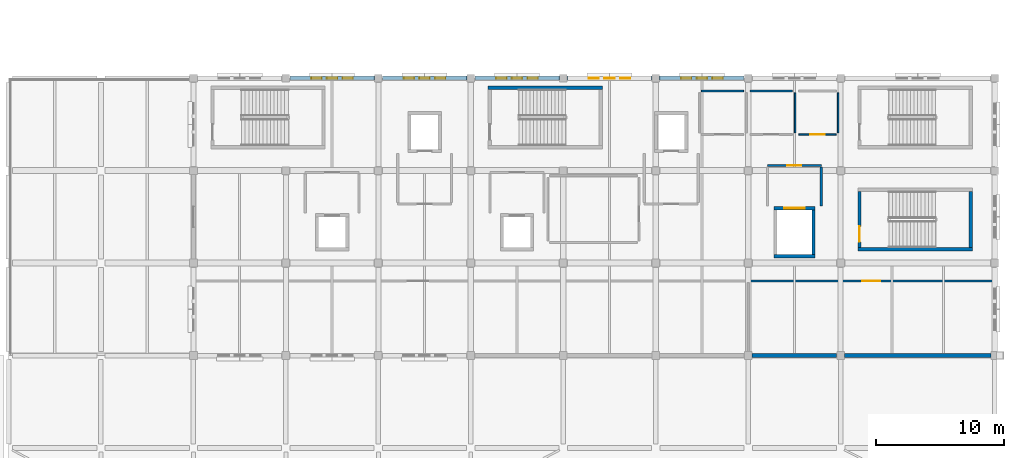
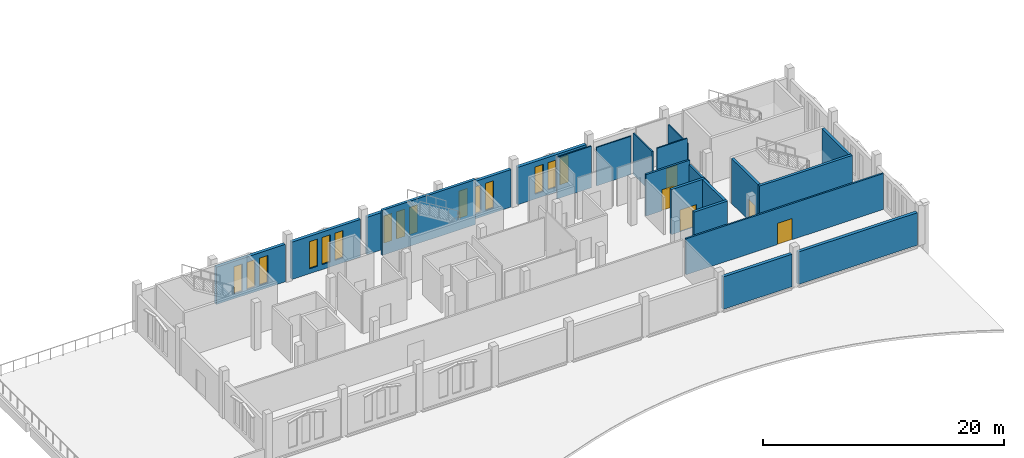
# One storey, part 11 of 23: 22 walls, 15 windows, 5 doors, 20 openings.
"""IFC4 building model written with IfcOpenShell, lengths in metres."""

from ifc_helpers import new_model, si_unit, direction, frame, frame_2d, origin, place, context, subcontext, project, spatial, rectangle, extrude, material, layer, layer_set, type_object, element, fill, save


model = new_model("IFC4")

# Units and contexts
model_context = context("Model", 3, precision=1e-05, world=origin(), true_north=direction((0.0, 1.0)))
body_context = subcontext(model_context, "Body", "Model", "MODEL_VIEW")
ifc_project = project(units=[si_unit("LENGTHUNIT", "METRE"), si_unit("AREAUNIT", "SQUARE_METRE"), si_unit("VOLUMEUNIT", "CUBIC_METRE"), si_unit("PLANEANGLEUNIT", "RADIAN"), si_unit("MASSUNIT", "GRAM", prefix="KILO")], contexts=[model_context])

# Site, building, storey
site_placement = place(None, origin())
site = spatial("IfcSite", under=ifc_project, at=site_placement, CompositionType="ELEMENT")
building_placement = place(site_placement, origin())
building = spatial("IfcBuilding", under=site, at=building_placement, Name="Cendralis Lancet Convention Centre", CompositionType="ELEMENT")
storey_placement = place(building_placement, frame((0.0, 0.0, 19.800048828125)))
storey = spatial("IfcBuildingStorey", under=building, at=storey_placement, Name="L04", CompositionType="ELEMENT", Elevation=19.800048828125)

# Wall, openings, windows
ifc_material_1 = material(Name="Buff sandstone ashlar and Concrete G40 (C40/50)", Category="masonry")
ifc_layer_1 = layer(ifc_material_1, 0.300048828125, Name="Buff sandstone ashlar and Concrete G40 (C40/50)")
ifc_layer_set_1 = layer_set([ifc_layer_1], Name="Buff sandstone ashlar and Concrete G40 (C40/50)")
wall_type_1 = type_object("IfcWallType", Name="ARC-EW-W300", PredefinedType="STANDARD", material=ifc_layer_set_1)
wall_1_placement = place(storey_placement, frame((153.907958984375, 36.0, 0.0), z_axis=(0.0, 0.0, 1.0), x_axis=(1.0, 0.0, 0.0)))
wall_1 = element("IfcWall", 1, at=wall_1_placement, inside=storey, type_object=wall_type_1, Name="L04 V5 Exterior Wall EW-07 #0323", PredefinedType="STANDARD", context=body_context, shape_type="SweptSolid", body=[
    extrude(rectangle(XDim=6.583984375, YDim=0.300048828125, at=frame_2d((3.2919921875, 0.0))), origin(), (0.0, 0.0, 1.0), 3.784912109375),
])
opening_1_placement = place(wall_1_placement, frame((1.672119140625, 0.0, 0.5)))
opening_1 = element("IfcOpeningElement", 2, at=opening_1_placement, cuts=wall_1, Name="Opening WN-07", PredefinedType="OPENING", context=body_context, shape_type="SweptSolid", body=[
    extrude(rectangle(XDim=0.800048828125, YDim=2.75, at=frame_2d((0.39990234375, 1.375))), frame((0.0, 0.159912109375, 0.0), z_axis=(0.0, -1.0, 0.0), x_axis=(1.0, 0.0, 0.0)), (0.0, 0.0, 1.0), 0.320068359375),
])
opening_2_placement = place(wall_1_placement, frame((2.89208984375, 0.0, 0.5)))
opening_2 = element("IfcOpeningElement", 3, at=opening_2_placement, cuts=wall_1, Name="Opening WN-07", PredefinedType="OPENING", context=body_context, shape_type="SweptSolid", body=[
    extrude(rectangle(XDim=0.800048828125, YDim=2.75, at=frame_2d((0.39990234375, 1.375))), frame((0.0, 0.159912109375, 0.0), z_axis=(0.0, -1.0, 0.0), x_axis=(1.0, 0.0, 0.0)), (0.0, 0.0, 1.0), 0.320068359375),
])
opening_3_placement = place(wall_1_placement, frame((4.112060546875, 0.0, 0.5)))
opening_3 = element("IfcOpeningElement", 4, at=opening_3_placement, cuts=wall_1, Name="Opening WN-07", PredefinedType="OPENING", context=body_context, shape_type="SweptSolid", body=[
    extrude(rectangle(XDim=0.800048828125, YDim=2.75, at=frame_2d((0.39990234375, 1.375))), frame((0.0, 0.159912109375, 0.0), z_axis=(0.0, -1.0, 0.0), x_axis=(1.0, 0.0, 0.0)), (0.0, 0.0, 1.0), 0.320068359375),
])
ifc_material_2 = material(Name="Double-glazed low-E solar-control glass", Category="glass")
window_type = type_object("IfcWindowType", Name="ARC-WN-LW07", PartitioningType="SINGLE_PANEL", PredefinedType="WINDOW", material=ifc_material_2)
window_1_placement = place(opening_1_placement, origin())
window_1 = element("IfcWindow", 5, at=window_1_placement, inside=storey, type_object=window_type, Name="Gothic Lancet Window WN-07 #0640", OverallHeight=2.75, OverallWidth=0.800048828125, PartitioningType="SINGLE_PANEL", PredefinedType="WINDOW", context=body_context, shape_type="SweptSolid", body=[
    extrude(rectangle(XDim=0.800048828125, YDim=2.75, at=frame_2d((0.39990234375, 1.375))), frame((0.0, 0.030029296875, 0.0), z_axis=(0.0, -1.0, 0.0), x_axis=(1.0, 0.0, 0.0)), (0.0, 0.0, 1.0), 0.06005859375),
])
fill(opening_1, window_1)
window_2_placement = place(opening_2_placement, origin())
window_2 = element("IfcWindow", 6, at=window_2_placement, inside=storey, type_object=window_type, Name="Gothic Lancet Window WN-07 #0641", OverallHeight=2.75, OverallWidth=0.800048828125, PartitioningType="SINGLE_PANEL", PredefinedType="WINDOW", context=body_context, shape_type="SweptSolid", body=[
    extrude(rectangle(XDim=0.800048828125, YDim=2.75, at=frame_2d((0.39990234375, 1.375))), frame((0.0, 0.030029296875, 0.0), z_axis=(0.0, -1.0, 0.0), x_axis=(1.0, 0.0, 0.0)), (0.0, 0.0, 1.0), 0.06005859375),
])
fill(opening_2, window_2)
window_3_placement = place(opening_3_placement, origin())
window_3 = element("IfcWindow", 7, at=window_3_placement, inside=storey, type_object=window_type, Name="Gothic Lancet Window WN-07 #0642", OverallHeight=2.75, OverallWidth=0.800048828125, PartitioningType="SINGLE_PANEL", PredefinedType="WINDOW", context=body_context, shape_type="SweptSolid", body=[
    extrude(rectangle(XDim=0.800048828125, YDim=2.75, at=frame_2d((0.39990234375, 1.375))), frame((0.0, 0.030029296875, 0.0), z_axis=(0.0, -1.0, 0.0), x_axis=(1.0, 0.0, 0.0)), (0.0, 0.0, 1.0), 0.06005859375),
])
fill(opening_3, window_3)

wall_2_placement = place(storey_placement, frame((161.10791015625, 36.0, 0.0), z_axis=(0.0, 0.0, 1.0), x_axis=(1.0, 0.0, 0.0)))
wall_2 = element("IfcWall", 8, at=wall_2_placement, inside=storey, type_object=wall_type_1, Name="L04 V5 Exterior Wall EW-07 #0327", PredefinedType="STANDARD", context=body_context, shape_type="SweptSolid", body=[
    extrude(rectangle(XDim=6.583984375, YDim=0.300048828125, at=frame_2d((3.2919921875, 0.0))), origin(), (0.0, 0.0, 1.0), 3.784912109375),
])
opening_4_placement = place(wall_2_placement, frame((1.672119140625, 0.0, 0.5)))
opening_4 = element("IfcOpeningElement", 9, at=opening_4_placement, cuts=wall_2, Name="Opening WN-07", PredefinedType="OPENING", context=body_context, shape_type="SweptSolid", body=[
    extrude(rectangle(XDim=0.800048828125, YDim=2.75, at=frame_2d((0.39990234375, 1.375))), frame((0.0, 0.159912109375, 0.0), z_axis=(0.0, -1.0, 0.0), x_axis=(1.0, 0.0, 0.0)), (0.0, 0.0, 1.0), 0.320068359375),
])
opening_5_placement = place(wall_2_placement, frame((2.89208984375, 0.0, 0.5)))
opening_5 = element("IfcOpeningElement", 10, at=opening_5_placement, cuts=wall_2, Name="Opening WN-07", PredefinedType="OPENING", context=body_context, shape_type="SweptSolid", body=[
    extrude(rectangle(XDim=0.800048828125, YDim=2.75, at=frame_2d((0.39990234375, 1.375))), frame((0.0, 0.159912109375, 0.0), z_axis=(0.0, -1.0, 0.0), x_axis=(1.0, 0.0, 0.0)), (0.0, 0.0, 1.0), 0.320068359375),
])
opening_6_placement = place(wall_2_placement, frame((4.112060546875, 0.0, 0.5)))
opening_6 = element("IfcOpeningElement", 11, at=opening_6_placement, cuts=wall_2, Name="Opening WN-07", PredefinedType="OPENING", context=body_context, shape_type="SweptSolid", body=[
    extrude(rectangle(XDim=0.800048828125, YDim=2.75, at=frame_2d((0.39990234375, 1.375))), frame((0.0, 0.159912109375, 0.0), z_axis=(0.0, -1.0, 0.0), x_axis=(1.0, 0.0, 0.0)), (0.0, 0.0, 1.0), 0.320068359375),
])
window_4_placement = place(opening_4_placement, origin())
window_4 = element("IfcWindow", 12, at=window_4_placement, inside=storey, type_object=window_type, Name="Gothic Lancet Window WN-07 #0646", OverallHeight=2.75, OverallWidth=0.800048828125, PartitioningType="SINGLE_PANEL", PredefinedType="WINDOW", context=body_context, shape_type="SweptSolid", body=[
    extrude(rectangle(XDim=0.800048828125, YDim=2.75, at=frame_2d((0.39990234375, 1.375))), frame((0.0, 0.030029296875, 0.0), z_axis=(0.0, -1.0, 0.0), x_axis=(1.0, 0.0, 0.0)), (0.0, 0.0, 1.0), 0.06005859375),
])
fill(opening_4, window_4)
window_5_placement = place(opening_5_placement, origin())
window_5 = element("IfcWindow", 13, at=window_5_placement, inside=storey, type_object=window_type, Name="Gothic Lancet Window WN-07 #0647", OverallHeight=2.75, OverallWidth=0.800048828125, PartitioningType="SINGLE_PANEL", PredefinedType="WINDOW", context=body_context, shape_type="SweptSolid", body=[
    extrude(rectangle(XDim=0.800048828125, YDim=2.75, at=frame_2d((0.39990234375, 1.375))), frame((0.0, 0.030029296875, 0.0), z_axis=(0.0, -1.0, 0.0), x_axis=(1.0, 0.0, 0.0)), (0.0, 0.0, 1.0), 0.06005859375),
])
fill(opening_5, window_5)
window_6_placement = place(opening_6_placement, origin())
window_6 = element("IfcWindow", 14, at=window_6_placement, inside=storey, type_object=window_type, Name="Gothic Lancet Window WN-07 #0648", OverallHeight=2.75, OverallWidth=0.800048828125, PartitioningType="SINGLE_PANEL", PredefinedType="WINDOW", context=body_context, shape_type="SweptSolid", body=[
    extrude(rectangle(XDim=0.800048828125, YDim=2.75, at=frame_2d((0.39990234375, 1.375))), frame((0.0, 0.030029296875, 0.0), z_axis=(0.0, -1.0, 0.0), x_axis=(1.0, 0.0, 0.0)), (0.0, 0.0, 1.0), 0.06005859375),
])
fill(opening_6, window_6)

wall_3_placement = place(storey_placement, frame((168.30810546875, 36.0, 0.0), z_axis=(0.0, 0.0, 1.0), x_axis=(1.0, 0.0, 0.0)))
wall_3 = element("IfcWall", 15, at=wall_3_placement, inside=storey, type_object=wall_type_1, Name="L04 V5 Exterior Wall EW-07 #0331", PredefinedType="STANDARD", context=body_context, shape_type="SweptSolid", body=[
    extrude(rectangle(XDim=6.583984375, YDim=0.300048828125, at=frame_2d((3.2919921875, 0.0))), origin(), (0.0, 0.0, 1.0), 3.784912109375),
])
opening_7_placement = place(wall_3_placement, frame((1.672119140625, 0.0, 0.5)))
opening_7 = element("IfcOpeningElement", 16, at=opening_7_placement, cuts=wall_3, Name="Opening WN-07", PredefinedType="OPENING", context=body_context, shape_type="SweptSolid", body=[
    extrude(rectangle(XDim=0.800048828125, YDim=2.75, at=frame_2d((0.39990234375, 1.375))), frame((0.0, 0.159912109375, 0.0), z_axis=(0.0, -1.0, 0.0), x_axis=(1.0, 0.0, 0.0)), (0.0, 0.0, 1.0), 0.320068359375),
])
opening_8_placement = place(wall_3_placement, frame((2.89208984375, 0.0, 0.5)))
opening_8 = element("IfcOpeningElement", 17, at=opening_8_placement, cuts=wall_3, Name="Opening WN-07", PredefinedType="OPENING", context=body_context, shape_type="SweptSolid", body=[
    extrude(rectangle(XDim=0.800048828125, YDim=2.75, at=frame_2d((0.39990234375, 1.375))), frame((0.0, 0.159912109375, 0.0), z_axis=(0.0, -1.0, 0.0), x_axis=(1.0, 0.0, 0.0)), (0.0, 0.0, 1.0), 0.320068359375),
])
opening_9_placement = place(wall_3_placement, frame((4.112060546875, 0.0, 0.5)))
opening_9 = element("IfcOpeningElement", 18, at=opening_9_placement, cuts=wall_3, Name="Opening WN-07", PredefinedType="OPENING", context=body_context, shape_type="SweptSolid", body=[
    extrude(rectangle(XDim=0.800048828125, YDim=2.75, at=frame_2d((0.39990234375, 1.375))), frame((0.0, 0.159912109375, 0.0), z_axis=(0.0, -1.0, 0.0), x_axis=(1.0, 0.0, 0.0)), (0.0, 0.0, 1.0), 0.320068359375),
])
window_7_placement = place(opening_7_placement, origin())
window_7 = element("IfcWindow", 19, at=window_7_placement, inside=storey, type_object=window_type, Name="Gothic Lancet Window WN-07 #0652", OverallHeight=2.75, OverallWidth=0.800048828125, PartitioningType="SINGLE_PANEL", PredefinedType="WINDOW", context=body_context, shape_type="SweptSolid", body=[
    extrude(rectangle(XDim=0.800048828125, YDim=2.75, at=frame_2d((0.39990234375, 1.375))), frame((0.0, 0.030029296875, 0.0), z_axis=(0.0, -1.0, 0.0), x_axis=(1.0, 0.0, 0.0)), (0.0, 0.0, 1.0), 0.06005859375),
])
fill(opening_7, window_7)
window_8_placement = place(opening_8_placement, origin())
window_8 = element("IfcWindow", 20, at=window_8_placement, inside=storey, type_object=window_type, Name="Gothic Lancet Window WN-07 #0653", OverallHeight=2.75, OverallWidth=0.800048828125, PartitioningType="SINGLE_PANEL", PredefinedType="WINDOW", context=body_context, shape_type="SweptSolid", body=[
    extrude(rectangle(XDim=0.800048828125, YDim=2.75, at=frame_2d((0.39990234375, 1.375))), frame((0.0, 0.030029296875, 0.0), z_axis=(0.0, -1.0, 0.0), x_axis=(1.0, 0.0, 0.0)), (0.0, 0.0, 1.0), 0.06005859375),
])
fill(opening_8, window_8)
window_9_placement = place(opening_9_placement, origin())
window_9 = element("IfcWindow", 21, at=window_9_placement, inside=storey, type_object=window_type, Name="Gothic Lancet Window WN-07 #0654", OverallHeight=2.75, OverallWidth=0.800048828125, PartitioningType="SINGLE_PANEL", PredefinedType="WINDOW", context=body_context, shape_type="SweptSolid", body=[
    extrude(rectangle(XDim=0.800048828125, YDim=2.75, at=frame_2d((0.39990234375, 1.375))), frame((0.0, 0.030029296875, 0.0), z_axis=(0.0, -1.0, 0.0), x_axis=(1.0, 0.0, 0.0)), (0.0, 0.0, 1.0), 0.06005859375),
])
fill(opening_9, window_9)

wall_4_placement = place(storey_placement, frame((175.508056640625, 36.0, 0.0), z_axis=(0.0, 0.0, 1.0), x_axis=(1.0, 0.0, 0.0)))
wall_4 = element("IfcWall", 22, at=wall_4_placement, inside=storey, type_object=wall_type_1, Name="L04 V5 Exterior Wall EW-07 #0335", PredefinedType="STANDARD", context=body_context, shape_type="SweptSolid", body=[
    extrude(rectangle(XDim=6.583984375, YDim=0.300048828125, at=frame_2d((3.2919921875, 0.0))), origin(), (0.0, 0.0, 1.0), 3.784912109375),
])
opening_10_placement = place(wall_4_placement, frame((1.672119140625, 0.0, 0.5)))
opening_10 = element("IfcOpeningElement", 23, at=opening_10_placement, cuts=wall_4, Name="Opening WN-07", PredefinedType="OPENING", context=body_context, shape_type="SweptSolid", body=[
    extrude(rectangle(XDim=0.800048828125, YDim=2.75, at=frame_2d((0.39990234375, 1.375))), frame((0.0, 0.159912109375, 0.0), z_axis=(0.0, -1.0, 0.0), x_axis=(1.0, 0.0, 0.0)), (0.0, 0.0, 1.0), 0.320068359375),
])
opening_11_placement = place(wall_4_placement, frame((2.89208984375, 0.0, 0.5)))
opening_11 = element("IfcOpeningElement", 24, at=opening_11_placement, cuts=wall_4, Name="Opening WN-07", PredefinedType="OPENING", context=body_context, shape_type="SweptSolid", body=[
    extrude(rectangle(XDim=0.800048828125, YDim=2.75, at=frame_2d((0.39990234375, 1.375))), frame((0.0, 0.159912109375, 0.0), z_axis=(0.0, -1.0, 0.0), x_axis=(1.0, 0.0, 0.0)), (0.0, 0.0, 1.0), 0.320068359375),
])
opening_12_placement = place(wall_4_placement, frame((4.112060546875, 0.0, 0.5)))
opening_12 = element("IfcOpeningElement", 25, at=opening_12_placement, cuts=wall_4, Name="Opening WN-07", PredefinedType="OPENING", context=body_context, shape_type="SweptSolid", body=[
    extrude(rectangle(XDim=0.800048828125, YDim=2.75, at=frame_2d((0.39990234375, 1.375))), frame((0.0, 0.159912109375, 0.0), z_axis=(0.0, -1.0, 0.0), x_axis=(1.0, 0.0, 0.0)), (0.0, 0.0, 1.0), 0.320068359375),
])
window_10_placement = place(opening_10_placement, origin())
window_10 = element("IfcWindow", 26, at=window_10_placement, inside=storey, type_object=window_type, Name="Gothic Lancet Window WN-07 #0655", OverallHeight=2.75, OverallWidth=0.800048828125, PartitioningType="SINGLE_PANEL", PredefinedType="WINDOW", context=body_context, shape_type="SweptSolid", body=[
    extrude(rectangle(XDim=0.800048828125, YDim=2.75, at=frame_2d((0.39990234375, 1.375))), frame((0.0, 0.030029296875, 0.0), z_axis=(0.0, -1.0, 0.0), x_axis=(1.0, 0.0, 0.0)), (0.0, 0.0, 1.0), 0.06005859375),
])
fill(opening_10, window_10)
window_11_placement = place(opening_11_placement, origin())
window_11 = element("IfcWindow", 27, at=window_11_placement, inside=storey, type_object=window_type, Name="Gothic Lancet Window WN-07 #0656", OverallHeight=2.75, OverallWidth=0.800048828125, PartitioningType="SINGLE_PANEL", PredefinedType="WINDOW", context=body_context, shape_type="SweptSolid", body=[
    extrude(rectangle(XDim=0.800048828125, YDim=2.75, at=frame_2d((0.39990234375, 1.375))), frame((0.0, 0.030029296875, 0.0), z_axis=(0.0, -1.0, 0.0), x_axis=(1.0, 0.0, 0.0)), (0.0, 0.0, 1.0), 0.06005859375),
])
fill(opening_11, window_11)
window_12_placement = place(opening_12_placement, origin())
window_12 = element("IfcWindow", 28, at=window_12_placement, inside=storey, type_object=window_type, Name="Gothic Lancet Window WN-07 #0657", OverallHeight=2.75, OverallWidth=0.800048828125, PartitioningType="SINGLE_PANEL", PredefinedType="WINDOW", context=body_context, shape_type="SweptSolid", body=[
    extrude(rectangle(XDim=0.800048828125, YDim=2.75, at=frame_2d((0.39990234375, 1.375))), frame((0.0, 0.030029296875, 0.0), z_axis=(0.0, -1.0, 0.0), x_axis=(1.0, 0.0, 0.0)), (0.0, 0.0, 1.0), 0.06005859375),
])
fill(opening_12, window_12)

wall_5_placement = place(storey_placement, frame((182.7080078125, 36.0, 0.0), z_axis=(0.0, 0.0, 1.0), x_axis=(1.0, 0.0, 0.0)))
wall_5 = element("IfcWall", 29, at=wall_5_placement, inside=storey, type_object=wall_type_1, Name="L04 V5 Exterior Wall EW-07 #0339", PredefinedType="STANDARD", context=body_context, shape_type="SweptSolid", body=[
    extrude(rectangle(XDim=6.583984375, YDim=0.300048828125, at=frame_2d((3.2919921875, 0.0))), origin(), (0.0, 0.0, 1.0), 3.784912109375),
])
opening_13_placement = place(wall_5_placement, frame((1.672119140625, 0.0, 0.5)))
opening_13 = element("IfcOpeningElement", 30, at=opening_13_placement, cuts=wall_5, Name="Opening WN-07", PredefinedType="OPENING", context=body_context, shape_type="SweptSolid", body=[
    extrude(rectangle(XDim=0.800048828125, YDim=2.75, at=frame_2d((0.39990234375, 1.375))), frame((0.0, 0.159912109375, 0.0), z_axis=(0.0, -1.0, 0.0), x_axis=(1.0, 0.0, 0.0)), (0.0, 0.0, 1.0), 0.320068359375),
])
opening_14_placement = place(wall_5_placement, frame((2.89208984375, 0.0, 0.5)))
opening_14 = element("IfcOpeningElement", 31, at=opening_14_placement, cuts=wall_5, Name="Opening WN-07", PredefinedType="OPENING", context=body_context, shape_type="SweptSolid", body=[
    extrude(rectangle(XDim=0.800048828125, YDim=2.75, at=frame_2d((0.39990234375, 1.375))), frame((0.0, 0.159912109375, 0.0), z_axis=(0.0, -1.0, 0.0), x_axis=(1.0, 0.0, 0.0)), (0.0, 0.0, 1.0), 0.320068359375),
])
opening_15_placement = place(wall_5_placement, frame((4.112060546875, 0.0, 0.5)))
opening_15 = element("IfcOpeningElement", 32, at=opening_15_placement, cuts=wall_5, Name="Opening WN-07", PredefinedType="OPENING", context=body_context, shape_type="SweptSolid", body=[
    extrude(rectangle(XDim=0.800048828125, YDim=2.75, at=frame_2d((0.39990234375, 1.375))), frame((0.0, 0.159912109375, 0.0), z_axis=(0.0, -1.0, 0.0), x_axis=(1.0, 0.0, 0.0)), (0.0, 0.0, 1.0), 0.320068359375),
])
window_13_placement = place(opening_13_placement, origin())
window_13 = element("IfcWindow", 33, at=window_13_placement, inside=storey, type_object=window_type, Name="Gothic Lancet Window WN-07 #0658", OverallHeight=2.75, OverallWidth=0.800048828125, PartitioningType="SINGLE_PANEL", PredefinedType="WINDOW", context=body_context, shape_type="SweptSolid", body=[
    extrude(rectangle(XDim=0.800048828125, YDim=2.75, at=frame_2d((0.39990234375, 1.375))), frame((0.0, 0.030029296875, 0.0), z_axis=(0.0, -1.0, 0.0), x_axis=(1.0, 0.0, 0.0)), (0.0, 0.0, 1.0), 0.06005859375),
])
fill(opening_13, window_13)
window_14_placement = place(opening_14_placement, origin())
window_14 = element("IfcWindow", 34, at=window_14_placement, inside=storey, type_object=window_type, Name="Gothic Lancet Window WN-07 #0659", OverallHeight=2.75, OverallWidth=0.800048828125, PartitioningType="SINGLE_PANEL", PredefinedType="WINDOW", context=body_context, shape_type="SweptSolid", body=[
    extrude(rectangle(XDim=0.800048828125, YDim=2.75, at=frame_2d((0.39990234375, 1.375))), frame((0.0, 0.030029296875, 0.0), z_axis=(0.0, -1.0, 0.0), x_axis=(1.0, 0.0, 0.0)), (0.0, 0.0, 1.0), 0.06005859375),
])
fill(opening_14, window_14)
window_15_placement = place(opening_15_placement, origin())
window_15 = element("IfcWindow", 35, at=window_15_placement, inside=storey, type_object=window_type, Name="Gothic Lancet Window WN-07 #0660", OverallHeight=2.75, OverallWidth=0.800048828125, PartitioningType="SINGLE_PANEL", PredefinedType="WINDOW", context=body_context, shape_type="SweptSolid", body=[
    extrude(rectangle(XDim=0.800048828125, YDim=2.75, at=frame_2d((0.39990234375, 1.375))), frame((0.0, 0.030029296875, 0.0), z_axis=(0.0, -1.0, 0.0), x_axis=(1.0, 0.0, 0.0)), (0.0, 0.0, 1.0), 0.06005859375),
])
fill(opening_15, window_15)

# Walls
wall_6_placement = place(storey_placement, frame((196.491943359375, 14.39990234375, 0.0), z_axis=(0.0, 0.0, 1.0), x_axis=(-1.0, 0.0, 0.0)))
element("IfcWall", 36, at=wall_6_placement, inside=storey, type_object=wall_type_1, Name="L04 V5 Exterior Wall EW-07 #0344", PredefinedType="STANDARD", context=body_context, shape_type="SweptSolid", body=[
    extrude(rectangle(XDim=6.583984375, YDim=0.300048828125, at=frame_2d((3.2919921875, 0.0))), origin(), (0.0, 0.0, 1.0), 3.284912109375),
])
wall_7_placement = place(storey_placement, frame((208.491943359375, 14.39990234375, 0.0), z_axis=(0.0, 0.0, 1.0), x_axis=(-1.0, 0.0, 0.0)))
element("IfcWall", 37, at=wall_7_placement, inside=storey, type_object=wall_type_1, Name="L04 V5 Exterior Wall EW-07 #0348", PredefinedType="STANDARD", context=body_context, shape_type="SweptSolid", body=[
    extrude(rectangle(XDim=11.384033203125, YDim=0.300048828125, at=frame_2d((5.69189453125, 0.0))), origin(), (0.0, 0.0, 1.0), 3.284912109375),
])
ifc_material_3 = material(Name="Acoustic fire-rated gypsum board on steel studs", Category="steel")
ifc_layer_2 = layer(ifc_material_3, 0.1201171875, Name="Acoustic fire-rated gypsum board on steel studs")
ifc_layer_set_2 = layer_set([ifc_layer_2], Name="Acoustic fire-rated gypsum board on steel studs")
wall_type_2 = type_object("IfcWallType", Name="ARC-IW-P120", PredefinedType="PARTITIONING", material=ifc_layer_set_2)
wall_8_placement = place(storey_placement, frame((185.949951171875, 35.0, 0.0), z_axis=(0.0, 0.0, 1.0), x_axis=(1.0, 0.0, 0.0)))
element("IfcWall", 38, at=wall_8_placement, inside=storey, type_object=wall_type_2, Name="L04 Interior Partition IW-05 #0432", PredefinedType="PARTITIONING", context=body_context, shape_type="SweptSolid", body=[
    extrude(rectangle(XDim=3.300048828125, YDim=0.1201171875, at=frame_2d((1.64990234375, 0.0))), origin(), (0.0, 0.0, 1.0), 4.204833984375),
])
wall_9_placement = place(storey_placement, frame((189.75, 35.0, 0.0), z_axis=(0.0, 0.0, 1.0), x_axis=(1.0, 0.0, 0.0)))
element("IfcWall", 39, at=wall_9_placement, inside=storey, type_object=wall_type_2, Name="L04 Interior Partition IW-05 #0436", PredefinedType="PARTITIONING", context=body_context, shape_type="SweptSolid", body=[
    extrude(rectangle(XDim=3.300048828125, YDim=0.1201171875, at=frame_2d((1.64990234375, 0.0))), origin(), (0.0, 0.0, 1.0), 3.885009765625),
])
wall_10_placement = place(storey_placement, frame((193.25, 31.739990234375, 0.0), z_axis=(0.0, 0.0, 1.0), x_axis=(0.0, 1.0, 0.0)))
element("IfcWall", 40, at=wall_10_placement, inside=storey, type_object=wall_type_2, Name="L04 Interior Partition IW-05 #0437", PredefinedType="PARTITIONING", context=body_context, shape_type="SweptSolid", body=[
    extrude(rectangle(XDim=3.1201171875, YDim=0.1201171875, at=frame_2d((1.56005859375, 0.0))), origin(), (0.0, 0.0, 1.0), 4.204833984375),
])

# Wall, opening, door
wall_11_placement = place(storey_placement, frame((193.550048828125, 31.60009765625, 0.0), z_axis=(0.0, 0.0, 1.0), x_axis=(1.0, 0.0, 0.0)))
wall_11 = element("IfcWall", 41, at=wall_11_placement, inside=storey, type_object=wall_type_2, Name="L04 Interior Partition IW-05 #0438", PredefinedType="PARTITIONING", context=body_context, shape_type="SweptSolid", body=[
    extrude(rectangle(XDim=2.89990234375, YDim=0.1201171875, at=frame_2d((1.449951171875, 0.0))), origin(), (0.0, 0.0, 1.0), 4.534912109375),
])
opening_16_placement = place(wall_11_placement, frame((0.89990234375, 0.0, 0.0)))
opening_16 = element("IfcOpeningElement", 42, at=opening_16_placement, cuts=wall_11, Name="Opening FD-11", PredefinedType="OPENING", context=body_context, shape_type="SweptSolid", body=[
    extrude(rectangle(XDim=1.10009765625, YDim=2.14990234375, at=frame_2d((0.550048828125, 1.074951171875))), frame((0.0, 0.070068359375, 0.0), z_axis=(0.0, -1.0, 0.0), x_axis=(1.0, 0.0, 0.0)), (0.0, 0.0, 1.0), 0.14013671875),
])
ifc_material_4 = material(Name="Steel S355", Category="steel")
door_type_1 = type_object("IfcDoorType", Name="ARC-DR-FF11", OperationType="NOTDEFINED", PredefinedType="DOOR", material=ifc_material_4)
door_1_placement = place(opening_16_placement, origin())
door_1 = element("IfcDoor", 43, at=door_1_placement, inside=storey, type_object=door_type_1, Name="L04-D016 L04 Interior Door FD-11 #0150", OperationType="SINGLE_SWING_RIGHT", OverallHeight=2.14990234375, OverallWidth=1.10009765625, PredefinedType="DOOR", context=body_context, shape_type="SweptSolid", body=[
    extrude(rectangle(XDim=1.10009765625, YDim=2.14990234375, at=frame_2d((0.550048828125, 1.074951171875))), frame((0.0, 0.02490234375, 0.0), z_axis=(0.0, -1.0, 0.0), x_axis=(1.0, 0.0, 0.0)), (0.0, 0.0, 1.0), 0.050048828125),
])
fill(opening_16, door_1)

# Wall
wall_12_placement = place(storey_placement, frame((196.60009765625, 31.739990234375, 0.0), z_axis=(0.0, 0.0, 1.0), x_axis=(0.0, 1.0, 0.0)))
element("IfcWall", 44, at=wall_12_placement, inside=storey, type_object=wall_type_2, Name="L04 Interior Partition IW-05 #0440", PredefinedType="PARTITIONING", context=body_context, shape_type="SweptSolid", body=[
    extrude(rectangle(XDim=3.1201171875, YDim=0.1201171875, at=frame_2d((1.56005859375, 0.0))), origin(), (0.0, 0.0, 1.0), 3.885009765625),
])

# Wall, opening, door
ifc_layer_3 = layer(ifc_material_3, 0.159912109375, Name="Acoustic fire-rated gypsum board on steel studs")
ifc_layer_set_3 = layer_set([ifc_layer_3], Name="Acoustic fire-rated gypsum board on steel studs")
wall_type_3 = type_object("IfcWallType", Name="ARC-IW-P160", PredefinedType="PARTITIONING", material=ifc_layer_set_3)
wall_13_placement = place(storey_placement, frame((189.739990234375, 20.199951171875, 0.0), z_axis=(0.0, 0.0, 1.0), x_axis=(1.0, 0.0, 0.0)))
wall_13 = element("IfcWall", 45, at=wall_13_placement, inside=storey, type_object=wall_type_3, Name="L04 Interior Partition IW-03 #0426", PredefinedType="PARTITIONING", context=body_context, shape_type="SweptSolid", body=[
    extrude(rectangle(XDim=18.89990234375, YDim=0.159912109375, at=frame_2d((9.449951171875, 0.0))), origin(), (0.0, 0.0, 1.0), 3.64501953125),
])
opening_17_placement = place(wall_13_placement, frame((8.75, 0.0, 0.0)))
opening_17 = element("IfcOpeningElement", 46, at=opening_17_placement, cuts=wall_13, Name="Opening ID-14", PredefinedType="OPENING", context=body_context, shape_type="SweptSolid", body=[
    extrude(rectangle(XDim=1.39990234375, YDim=2.14990234375, at=frame_2d((0.699951171875, 1.074951171875))), frame((0.0, 0.08984375, 0.0), z_axis=(0.0, -1.0, 0.0), x_axis=(1.0, 0.0, 0.0)), (0.0, 0.0, 1.0), 0.179931640625),
])
ifc_material_5 = material(Name="Acoustic Chilean lenga timber and steel fire leaf", Category="steel")
door_type_2 = type_object("IfcDoorType", Name="ARC-DR-DB14", OperationType="NOTDEFINED", PredefinedType="DOOR", material=ifc_material_5)
door_2_placement = place(opening_17_placement, origin())
door_2 = element("IfcDoor", 47, at=door_2_placement, inside=storey, type_object=door_type_2, Name="L04-D012 L04 Interior Door ID-14 #0146", OperationType="DOUBLE_DOOR_SINGLE_SWING", OverallHeight=2.14990234375, OverallWidth=1.39990234375, PredefinedType="DOOR", context=body_context, shape_type="SweptSolid", body=[
    extrude(rectangle(XDim=1.39990234375, YDim=2.14990234375, at=frame_2d((0.699951171875, 1.074951171875))), frame((0.0, 0.02490234375, 0.0), z_axis=(0.0, -1.0, 0.0), x_axis=(1.0, 0.0, 0.0)), (0.0, 0.0, 1.0), 0.050048828125),
])
fill(opening_17, door_2)

ifc_layer_4 = layer(ifc_material_3, 0.179931640625, Name="Acoustic fire-rated gypsum board on steel studs")
ifc_layer_set_4 = layer_set([ifc_layer_4], Name="Acoustic fire-rated gypsum board on steel studs")
wall_type_4 = type_object("IfcWallType", Name="ARC-IW-P180", PredefinedType="PARTITIONING", material=ifc_layer_set_4)
wall_14_placement = place(storey_placement, frame((191.10009765625, 29.199951171875, 0.0), z_axis=(0.0, 0.0, 1.0), x_axis=(1.0, 0.0, 0.0)))
wall_14 = element("IfcWall", 48, at=wall_14_placement, inside=storey, type_object=wall_type_4, Name="L04 Lift Lobby LG-04 Front Wall", PredefinedType="PARTITIONING", context=body_context, shape_type="SweptSolid", body=[
    extrude(rectangle(XDim=4.199951171875, YDim=0.179931640625, at=frame_2d((2.10009765625, 0.0))), origin(), (0.0, 0.0, 1.0), 4.204833984375),
])
opening_18_placement = place(wall_14_placement, frame((1.550048828125, 0.0, 0.0)))
opening_18 = element("IfcOpeningElement", 49, at=opening_18_placement, cuts=wall_14, Name="Opening FD-11", PredefinedType="OPENING", context=body_context, shape_type="SweptSolid", body=[
    extrude(rectangle(XDim=1.10009765625, YDim=2.14990234375, at=frame_2d((0.550048828125, 1.074951171875))), frame((0.0, 0.099853515625, 0.0), z_axis=(0.0, -1.0, 0.0), x_axis=(1.0, 0.0, 0.0)), (0.0, 0.0, 1.0), 0.199951171875),
])
door_3_placement = place(opening_18_placement, origin())
door_3 = element("IfcDoor", 50, at=door_3_placement, inside=storey, type_object=door_type_1, Name="L04-D026 L04 Lift Lobby LG-04 Fire Door", OperationType="SINGLE_SWING_RIGHT", OverallHeight=2.14990234375, OverallWidth=1.10009765625, PredefinedType="DOOR", context=body_context, shape_type="SweptSolid", body=[
    extrude(rectangle(XDim=1.10009765625, YDim=2.14990234375, at=frame_2d((0.550048828125, 1.074951171875))), frame((0.0, 0.02490234375, 0.0), z_axis=(0.0, -1.0, 0.0), x_axis=(1.0, 0.0, 0.0)), (0.0, 0.0, 1.0), 0.050048828125),
])
fill(opening_18, door_3)

# Walls
wall_15_placement = place(storey_placement, frame((195.300048828125, 26.050048828125, 0.0), z_axis=(0.0, 0.0, 1.0), x_axis=(0.0, 1.0, 0.0)))
element("IfcWall", 51, at=wall_15_placement, inside=storey, type_object=wall_type_4, Name="L04 Lift Lobby LG-04 East Wall", PredefinedType="PARTITIONING", context=body_context, shape_type="SweptSolid", body=[
    extrude(rectangle(XDim=3.050048828125, YDim=0.179931640625, at=frame_2d((1.52490234375, 0.0))), origin(), (0.0, 0.0, 1.0), 3.784912109375),
])
ifc_material_6 = material(Name="Concrete G40 (C40/50)", Category="concrete")
ifc_layer_5 = layer(ifc_material_6, 0.25, Name="Concrete G40 (C40/50)")
ifc_layer_set_5 = layer_set([ifc_layer_5], Name="Concrete G40 (C40/50)")
wall_type_5 = type_object("IfcWallType", Name="STR-SW-CW250", PredefinedType="SHEAR", material=ifc_layer_set_5)
wall_16_placement = place(storey_placement, frame((169.35009765625, 35.2548828125, 0.0), z_axis=(0.0, 0.0, 1.0), x_axis=(1.0, 0.0, 0.0)))
element("IfcWall", 52, at=wall_16_placement, inside=storey, type_object=wall_type_5, Name="L04 Stair Core ST-14 North Shear Wall", PredefinedType="SHEAR", context=body_context, shape_type="SweptSolid", body=[
    extrude(rectangle(XDim=8.89990234375, YDim=0.25, at=frame_2d((4.449951171875, 0.0))), origin(), (0.0, 0.0, 1.0), 4.550048828125),
])

# Wall, opening, door
wall_17_placement = place(storey_placement, frame((198.27490234375, 22.800048828125, 0.0), z_axis=(0.0, 0.0, 1.0), x_axis=(0.0, 1.0, 0.0)))
wall_17 = element("IfcWall", 53, at=wall_17_placement, inside=storey, type_object=wall_type_5, Name="L04 Stair Core ST-15 West Shear Wall", PredefinedType="SHEAR", context=body_context, shape_type="SweptSolid", body=[
    extrude(rectangle(XDim=4.3798828125, YDim=0.25, at=frame_2d((2.18994140625, 0.0))), origin(), (0.0, 0.0, 1.0), 4.550048828125),
])
opening_19_placement = place(wall_17_placement, frame((0.449951171875, 0.0, 0.0)))
opening_19 = element("IfcOpeningElement", 54, at=opening_19_placement, cuts=wall_17, Name="Opening SD-12", PredefinedType="OPENING", context=body_context, shape_type="SweptSolid", body=[
    extrude(rectangle(XDim=1.199951171875, YDim=2.14990234375, at=frame_2d((0.60009765625, 1.074951171875))), frame((0.0, 0.135009765625, 0.0), z_axis=(0.0, -1.0, 0.0), x_axis=(1.0, 0.0, 0.0)), (0.0, 0.0, 1.0), 0.27001953125),
])
door_type_3 = type_object("IfcDoorType", Name="ARC-DR-ST12", OperationType="NOTDEFINED", PredefinedType="DOOR", material=ifc_material_4)
door_4_placement = place(opening_19_placement, frame((1.199951171875, 0.0, 0.0), z_axis=(0.0, 0.0, 1.0), x_axis=(-1.0, 0.0, 0.0)))
door_4 = element("IfcDoor", 55, at=door_4_placement, inside=storey, type_object=door_type_3, Name="L04-D035 L04 Exit Stair ST-15 Fire Door", OperationType="SINGLE_SWING_LEFT", OverallHeight=2.14990234375, OverallWidth=1.199951171875, PredefinedType="DOOR", context=body_context, shape_type="SweptSolid", body=[
    extrude(rectangle(XDim=1.199951171875, YDim=2.14990234375, at=frame_2d((0.60009765625, 1.074951171875))), frame((0.0, 0.02490234375, 0.0), z_axis=(0.0, -1.0, 0.0), x_axis=(1.0, 0.0, 0.0)), (0.0, 0.0, 1.0), 0.050048828125),
])
fill(opening_19, door_4)

# Walls
wall_18_placement = place(storey_placement, frame((206.925048828125, 22.800048828125, 0.0), z_axis=(0.0, 0.0, 1.0), x_axis=(0.0, 1.0, 0.0)))
element("IfcWall", 56, at=wall_18_placement, inside=storey, type_object=wall_type_5, Name="L04 Stair Core ST-15 East Shear Wall", PredefinedType="SHEAR", context=body_context, shape_type="SweptSolid", body=[
    extrude(rectangle(XDim=4.3798828125, YDim=0.25, at=frame_2d((2.18994140625, 0.0))), origin(), (0.0, 0.0, 1.0), 4.550048828125),
])
wall_19_placement = place(storey_placement, frame((198.14990234375, 22.675048828125, 0.0), z_axis=(0.0, 0.0, 1.0), x_axis=(1.0, 0.0, 0.0)))
element("IfcWall", 57, at=wall_19_placement, inside=storey, type_object=wall_type_5, Name="L04 Stair Core ST-15 South Shear Wall", PredefinedType="SHEAR", context=body_context, shape_type="SweptSolid", body=[
    extrude(rectangle(XDim=8.900146484375, YDim=0.25, at=frame_2d((4.4501953125, 0.0))), origin(), (0.0, 0.0, 1.0), 4.550048828125),
])
wall_20_placement = place(storey_placement, frame((191.60009765625, 22.125, 0.0), z_axis=(0.0, 0.0, 1.0), x_axis=(1.0, 0.0, 0.0)))
element("IfcWall", 58, at=wall_20_placement, inside=storey, type_object=wall_type_5, Name="L04 Lift LG-04 South Shaft Wall", PredefinedType="SHEAR", context=body_context, shape_type="SweptSolid", body=[
    extrude(rectangle(XDim=3.199951171875, YDim=0.25, at=frame_2d((1.60009765625, 0.0))), origin(), (0.0, 0.0, 1.0), 4.550048828125),
])

# Wall, opening, door
wall_21_placement = place(storey_placement, frame((191.60009765625, 25.875, 0.0), z_axis=(0.0, 0.0, 1.0), x_axis=(1.0, 0.0, 0.0)))
wall_21 = element("IfcWall", 59, at=wall_21_placement, inside=storey, type_object=wall_type_5, Name="L04 Lift LG-04 North Shaft Wall", PredefinedType="SHEAR", context=body_context, shape_type="SweptSolid", body=[
    extrude(rectangle(XDim=3.199951171875, YDim=0.25, at=frame_2d((1.60009765625, 0.0))), origin(), (0.0, 0.0, 1.0), 4.550048828125),
])
opening_20_placement = place(wall_21_placement, frame((0.800048828125, 0.0, 0.0)))
opening_20 = element("IfcOpeningElement", 60, at=opening_20_placement, cuts=wall_21, Name="Opening LD-16", PredefinedType="OPENING", context=body_context, shape_type="SweptSolid", body=[
    extrude(rectangle(XDim=1.60009765625, YDim=2.199951171875, at=frame_2d((0.800048828125, 1.10009765625))), frame((0.0, 0.135009765625, 0.0), z_axis=(0.0, -1.0, 0.0), x_axis=(1.0, 0.0, 0.0)), (0.0, 0.0, 1.0), 0.27001953125),
])
door_type_4 = type_object("IfcDoorType", Name="ARC-DR-LD16", OperationType="NOTDEFINED", PredefinedType="DOOR", material=ifc_material_4)
door_5_placement = place(opening_20_placement, origin())
door_5 = element("IfcDoor", 61, at=door_5_placement, inside=storey, type_object=door_type_4, Name="L04-D019 L04 Lift LG-04 Sliding Landing Door", OperationType="SLIDING_TO_RIGHT", OverallHeight=2.199951171875, OverallWidth=1.60009765625, PredefinedType="DOOR", context=body_context, shape_type="SweptSolid", body=[
    extrude(rectangle(XDim=1.60009765625, YDim=2.199951171875, at=frame_2d((0.800048828125, 1.10009765625))), frame((0.0, 0.02490234375, 0.0), z_axis=(0.0, -1.0, 0.0), x_axis=(1.0, 0.0, 0.0)), (0.0, 0.0, 1.0), 0.050048828125),
])
fill(opening_20, door_5)

# Wall
wall_22_placement = place(storey_placement, frame((194.675048828125, 22.25, 0.0), z_axis=(0.0, 0.0, 1.0), x_axis=(0.0, 1.0, 0.0)))
element("IfcWall", 62, at=wall_22_placement, inside=storey, type_object=wall_type_5, Name="L04 Lift LG-04 East Shaft Wall", PredefinedType="SHEAR", context=body_context, shape_type="SweptSolid", body=[
    extrude(rectangle(XDim=3.5, YDim=0.25, at=frame_2d((1.75, 0.0))), origin(), (0.0, 0.0, 1.0), 4.550048828125),
])

save(model, "model.ifc")
